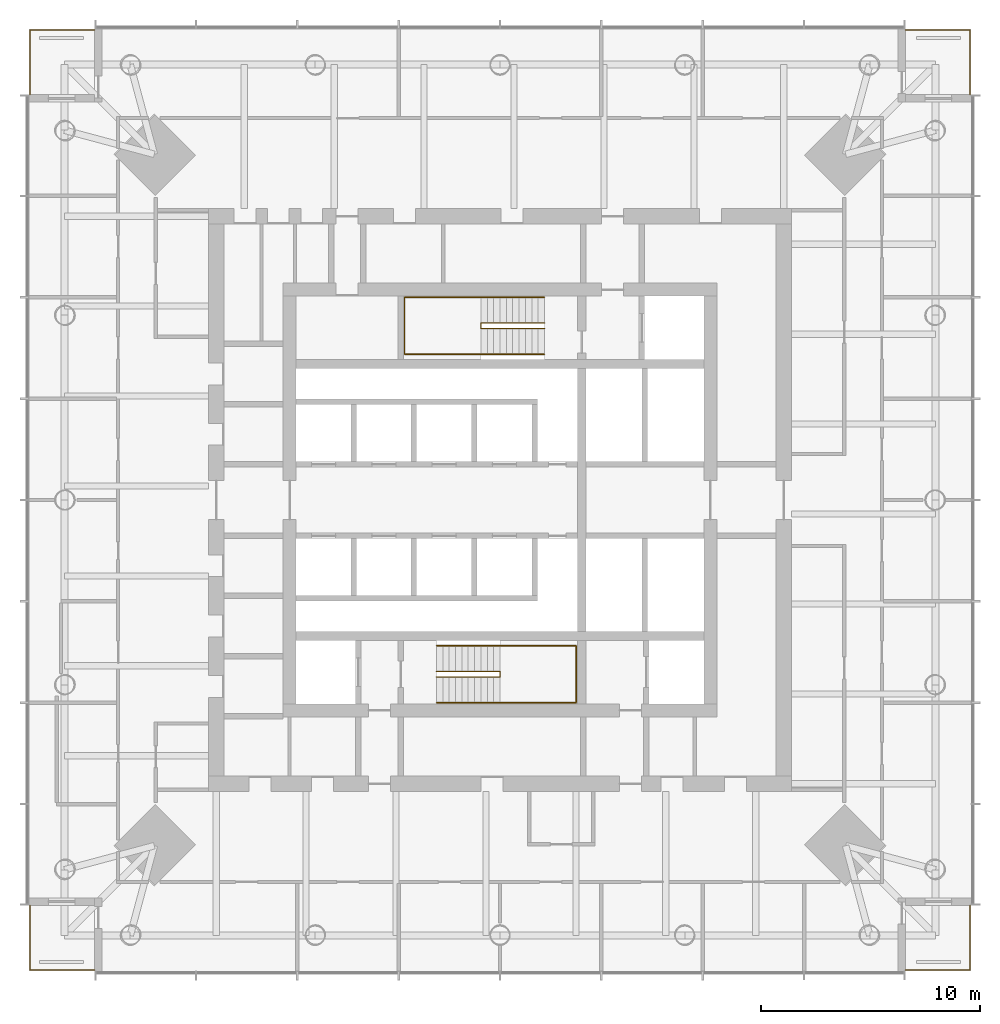
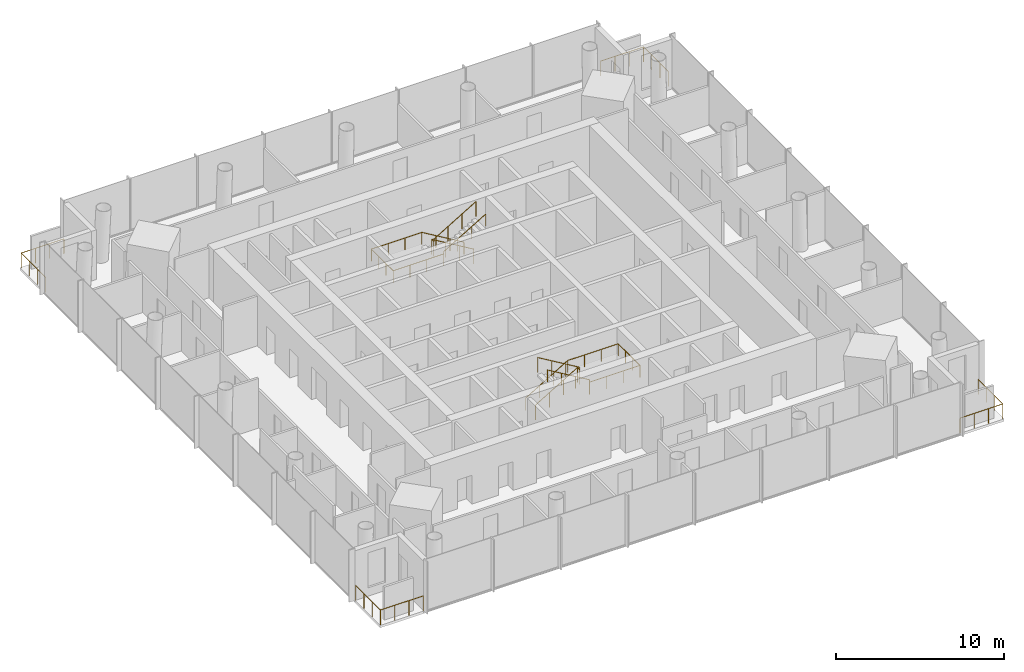
# One storey, part 9 of 9: 8 railings.
"""IFC4 building model written with IfcOpenShell, lengths in metres."""

from ifc_helpers import new_model, si_unit, direction, frame, origin, origin_2d, place, context, subcontext, project, spatial, circle, extrude, material, type_object, element, save


model = new_model("IFC4")

# Units and contexts
model_context = context("Model", 3, precision=1e-05, world=origin(), true_north=direction((0.0, 1.0)))
body_context = subcontext(model_context, "Body", "Model", "MODEL_VIEW")
ifc_project = project(units=[si_unit("LENGTHUNIT", "METRE"), si_unit("AREAUNIT", "SQUARE_METRE"), si_unit("VOLUMEUNIT", "CUBIC_METRE"), si_unit("PLANEANGLEUNIT", "RADIAN"), si_unit("MASSUNIT", "GRAM", prefix="KILO")], contexts=[model_context])

# Site, building, storey
site_placement = place(None, origin())
site = spatial("IfcSite", under=ifc_project, at=site_placement, CompositionType="ELEMENT")
building_placement = place(site_placement, origin())
building = spatial("IfcBuilding", under=site, at=building_placement, Name="Ostroluk Exchange", CompositionType="ELEMENT")
storey_placement = place(building_placement, frame((0.0, 0.0, 150.199951171875)))
storey = spatial("IfcBuildingStorey", under=building, at=storey_placement, Name="L38", CompositionType="ELEMENT", Elevation=150.199951171875)

# Railings
ifc_material_1 = material(Name="Stainless steel", Category="steel")
railing_type_1 = type_object("IfcRailingType", Name="Guard 1100 stainless steel", PredefinedType="GUARDRAIL", material=ifc_material_1)
railing_1_placement = place(storey_placement, frame((63.5, 24.550048828125, 0.0)))
element("IfcRailing", 1, at=railing_1_placement, inside=storey, type_object=railing_type_1, Name="Office tower SE balcony guard L38", PredefinedType="GUARDRAIL", context=body_context, shape_type="SweptSolid", body=[
    extrude(circle(Radius=0.02392578125, at=origin_2d()), frame((0.0, 0.0, 1.076171875), z_axis=(1.0, 0.0, 0.0), x_axis=(0.0, 1.0, 0.0)), (0.0, 0.0, 1.0), 2.949951171875),
    extrude(circle(Radius=0.02392578125, at=origin_2d()), frame((2.949951171875, 0.0, 1.076171875), z_axis=(0.0, 1.0, 0.0), x_axis=(-1.0, 0.0, 0.0)), (0.0, 0.0, 1.0), 2.949951171875),
    extrude(circle(Radius=0.02099609375, at=origin_2d()), origin(), (0.0, 0.0, 1.0), 1.052001953125),
    extrude(circle(Radius=0.02099609375, at=origin_2d()), frame((0.9833984375, 0.0, 0.0)), (0.0, 0.0, 1.0), 1.052001953125),
    extrude(circle(Radius=0.02099609375, at=origin_2d()), frame((1.966552734375, 0.0, 0.0)), (0.0, 0.0, 1.0), 1.052001953125),
    extrude(circle(Radius=0.02099609375, at=origin_2d()), frame((2.949951171875, 0.0, 0.0)), (0.0, 0.0, 1.0), 1.052001953125),
    extrude(circle(Radius=0.02099609375, at=origin_2d()), frame((2.949951171875, 0.9833984375, 0.0)), (0.0, 0.0, 1.0), 1.052001953125),
    extrude(circle(Radius=0.02099609375, at=origin_2d()), frame((2.949951171875, 1.966552734375, 0.0)), (0.0, 0.0, 1.0), 1.052001953125),
    extrude(circle(Radius=0.02099609375, at=origin_2d()), frame((2.949951171875, 2.949951171875, 0.0)), (0.0, 0.0, 1.0), 1.052001953125),
])
railing_2_placement = place(storey_placement, frame((63.5, 67.449951171875, 0.0)))
element("IfcRailing", 2, at=railing_2_placement, inside=storey, type_object=railing_type_1, Name="Office tower NE balcony guard L38", PredefinedType="GUARDRAIL", context=body_context, shape_type="SweptSolid", body=[
    extrude(circle(Radius=0.02392578125, at=origin_2d()), frame((0.0, 0.0, 1.076171875), z_axis=(1.0, 0.0, 0.0), x_axis=(0.0, 1.0, 0.0)), (0.0, 0.0, 1.0), 2.949951171875),
    extrude(circle(Radius=0.02392578125, at=origin_2d()), frame((2.949951171875, 0.0, 1.076171875), z_axis=(0.0, -1.0, 0.0), x_axis=(1.0, 0.0, 0.0)), (0.0, 0.0, 1.0), 2.949951171875),
    extrude(circle(Radius=0.02099609375, at=origin_2d()), origin(), (0.0, 0.0, 1.0), 1.052001953125),
    extrude(circle(Radius=0.02099609375, at=origin_2d()), frame((0.9833984375, 0.0, 0.0)), (0.0, 0.0, 1.0), 1.052001953125),
    extrude(circle(Radius=0.02099609375, at=origin_2d()), frame((1.966552734375, 0.0, 0.0)), (0.0, 0.0, 1.0), 1.052001953125),
    extrude(circle(Radius=0.02099609375, at=origin_2d()), frame((2.949951171875, 0.0, 0.0)), (0.0, 0.0, 1.0), 1.052001953125),
    extrude(circle(Radius=0.02099609375, at=origin_2d()), frame((2.949951171875, -0.9833984375, 0.0)), (0.0, 0.0, 1.0), 1.052001953125),
    extrude(circle(Radius=0.02099609375, at=origin_2d()), frame((2.949951171875, -1.966552734375, 0.0)), (0.0, 0.0, 1.0), 1.052001953125),
    extrude(circle(Radius=0.02099609375, at=origin_2d()), frame((2.949951171875, -2.949951171875, 0.0)), (0.0, 0.0, 1.0), 1.052001953125),
])
railing_3_placement = place(storey_placement, frame((26.5, 67.449951171875, 0.0)))
element("IfcRailing", 3, at=railing_3_placement, inside=storey, type_object=railing_type_1, Name="Office tower NW balcony guard L38", PredefinedType="GUARDRAIL", context=body_context, shape_type="SweptSolid", body=[
    extrude(circle(Radius=0.02392578125, at=origin_2d()), frame((0.0, 0.0, 1.076171875), z_axis=(-1.0, 0.0, 0.0), x_axis=(0.0, -1.0, 0.0)), (0.0, 0.0, 1.0), 2.949951171875),
    extrude(circle(Radius=0.02392578125, at=origin_2d()), frame((-2.949951171875, 0.0, 1.076171875), z_axis=(0.0, -1.0, 0.0), x_axis=(1.0, 0.0, 0.0)), (0.0, 0.0, 1.0), 2.949951171875),
    extrude(circle(Radius=0.02099609375, at=origin_2d()), origin(), (0.0, 0.0, 1.0), 1.052001953125),
    extrude(circle(Radius=0.02099609375, at=origin_2d()), frame((-0.9833984375, 0.0, 0.0)), (0.0, 0.0, 1.0), 1.052001953125),
    extrude(circle(Radius=0.02099609375, at=origin_2d()), frame((-1.966552734375, 0.0, 0.0)), (0.0, 0.0, 1.0), 1.052001953125),
    extrude(circle(Radius=0.02099609375, at=origin_2d()), frame((-2.949951171875, 0.0, 0.0)), (0.0, 0.0, 1.0), 1.052001953125),
    extrude(circle(Radius=0.02099609375, at=origin_2d()), frame((-2.949951171875, -0.9833984375, 0.0)), (0.0, 0.0, 1.0), 1.052001953125),
    extrude(circle(Radius=0.02099609375, at=origin_2d()), frame((-2.949951171875, -1.966552734375, 0.0)), (0.0, 0.0, 1.0), 1.052001953125),
    extrude(circle(Radius=0.02099609375, at=origin_2d()), frame((-2.949951171875, -2.949951171875, 0.0)), (0.0, 0.0, 1.0), 1.052001953125),
])
railing_4_placement = place(storey_placement, frame((26.5, 24.550048828125, 0.0)))
element("IfcRailing", 4, at=railing_4_placement, inside=storey, type_object=railing_type_1, Name="Office tower SW balcony guard L38", PredefinedType="GUARDRAIL", context=body_context, shape_type="SweptSolid", body=[
    extrude(circle(Radius=0.02392578125, at=origin_2d()), frame((0.0, 0.0, 1.076171875), z_axis=(-1.0, 0.0, 0.0), x_axis=(0.0, -1.0, 0.0)), (0.0, 0.0, 1.0), 2.949951171875),
    extrude(circle(Radius=0.02392578125, at=origin_2d()), frame((-2.949951171875, 0.0, 1.076171875), z_axis=(0.0, 1.0, 0.0), x_axis=(-1.0, 0.0, 0.0)), (0.0, 0.0, 1.0), 2.949951171875),
    extrude(circle(Radius=0.02099609375, at=origin_2d()), origin(), (0.0, 0.0, 1.0), 1.052001953125),
    extrude(circle(Radius=0.02099609375, at=origin_2d()), frame((-0.9833984375, 0.0, 0.0)), (0.0, 0.0, 1.0), 1.052001953125),
    extrude(circle(Radius=0.02099609375, at=origin_2d()), frame((-1.966552734375, 0.0, 0.0)), (0.0, 0.0, 1.0), 1.052001953125),
    extrude(circle(Radius=0.02099609375, at=origin_2d()), frame((-2.949951171875, 0.0, 0.0)), (0.0, 0.0, 1.0), 1.052001953125),
    extrude(circle(Radius=0.02099609375, at=origin_2d()), frame((-2.949951171875, 0.9833984375, 0.0)), (0.0, 0.0, 1.0), 1.052001953125),
    extrude(circle(Radius=0.02099609375, at=origin_2d()), frame((-2.949951171875, 1.966552734375, 0.0)), (0.0, 0.0, 1.0), 1.052001953125),
    extrude(circle(Radius=0.02099609375, at=origin_2d()), frame((-2.949951171875, 2.949951171875, 0.0)), (0.0, 0.0, 1.0), 1.052001953125),
])
ifc_material_2 = material(Name="Steel S355", Category="steel")
railing_type_2 = type_object("IfcRailingType", Name="Stair guard 1100", PredefinedType="GUARDRAIL", material=ifc_material_2)
railing_5_placement = place(storey_placement, frame((42.10009765625, 38.179931640625, 0.1728515625)))
element("IfcRailing", 5, at=railing_5_placement, inside=storey, type_object=railing_type_2, Name="Stair T1-S1 guard L38", PredefinedType="GUARDRAIL", context=body_context, shape_type="SweptSolid", body=[
    extrude(circle(Radius=0.02392578125, at=origin_2d()), frame((0.0, 0.0, 1.076171875), z_axis=(0.859141464434, 0.0, 0.511738159696), x_axis=(0.0, 1.0, 0.0)), (0.0, 0.0, 1.0), 3.375244140625),
    extrude(circle(Radius=0.02392578125, at=origin_2d()), frame((2.89990234375, 0.0, 2.80322265625), z_axis=(0.0, -1.0, 0.0), x_axis=(1.0, 0.0, 0.0)), (0.0, 0.0, 1.0), 0.260009765625),
    extrude(circle(Radius=0.02392578125, at=origin_2d()), frame((2.89990234375, -0.260009765625, 2.80322265625), z_axis=(0.0, 0.0, 1.0), x_axis=(1.0, 0.0, 0.0)), (0.0, 0.0, 1.0), 0.172607421875),
    extrude(circle(Radius=0.02392578125, at=origin_2d()), frame((2.89990234375, -0.260009765625, 2.97607421875), z_axis=(-0.859141464434, 0.0, 0.511738159696), x_axis=(0.0, -1.0, 0.0)), (0.0, 0.0, 1.0), 3.375244140625),
    extrude(circle(Radius=0.02099609375, at=origin_2d()), origin(), (0.0, 0.0, 1.0), 1.052001953125),
    extrude(circle(Radius=0.02099609375, at=origin_2d()), frame((0.966552734375, 0.0, 0.57568359375)), (0.0, 0.0, 1.0), 1.052001953125),
    extrude(circle(Radius=0.02099609375, at=origin_2d()), frame((1.933349609375, 0.0, 1.151611328125)), (0.0, 0.0, 1.0), 1.052001953125),
    extrude(circle(Radius=0.02099609375, at=origin_2d()), frame((2.89990234375, 0.0, 1.727294921875)), (0.0, 0.0, 1.0), 1.052001953125),
    extrude(circle(Radius=0.02099609375, at=origin_2d()), frame((2.89990234375, -0.260009765625, 1.727294921875)), (0.0, 0.0, 1.0), 1.052001953125),
    extrude(circle(Radius=0.02099609375, at=origin_2d()), frame((2.89990234375, -0.260009765625, 1.89990234375)), (0.0, 0.0, 1.0), 1.052001953125),
    extrude(circle(Radius=0.02099609375, at=origin_2d()), frame((1.933349609375, -0.260009765625, 2.4755859375)), (0.0, 0.0, 1.0), 1.052001953125),
    extrude(circle(Radius=0.02099609375, at=origin_2d()), frame((0.966552734375, -0.260009765625, 3.051513671875)), (0.0, 0.0, 1.0), 1.052001953125),
    extrude(circle(Radius=0.02099609375, at=origin_2d()), frame((0.0, -0.260009765625, 3.627197265625)), (0.0, 0.0, 1.0), 1.052001953125),
])
railing_6_placement = place(storey_placement, frame((47.030029296875, 54.080078125, 0.1728515625)))
element("IfcRailing", 6, at=railing_6_placement, inside=storey, type_object=railing_type_2, Name="Stair T1-S2 guard L38", PredefinedType="GUARDRAIL", context=body_context, shape_type="SweptSolid", body=[
    extrude(circle(Radius=0.02392578125, at=origin_2d()), frame((0.0, 0.0, 1.076171875), z_axis=(-0.859160404282, 0.0, 0.51170636083), x_axis=(0.0, -1.0, 0.0)), (0.0, 0.0, 1.0), 3.37548828125),
    extrude(circle(Radius=0.02392578125, at=origin_2d()), frame((-2.900146484375, 0.0, 2.80322265625), z_axis=(0.0, -1.0, 0.0), x_axis=(1.0, 0.0, 0.0)), (0.0, 0.0, 1.0), 0.260009765625),
    extrude(circle(Radius=0.02392578125, at=origin_2d()), frame((-2.900146484375, -0.260009765625, 2.80322265625), z_axis=(0.0, 0.0, 1.0), x_axis=(1.0, 0.0, 0.0)), (0.0, 0.0, 1.0), 0.172607421875),
    extrude(circle(Radius=0.02392578125, at=origin_2d()), frame((-2.900146484375, -0.260009765625, 2.97607421875), z_axis=(0.859160404282, 0.0, 0.51170636083), x_axis=(0.0, 1.0, 0.0)), (0.0, 0.0, 1.0), 3.37548828125),
    extrude(circle(Radius=0.02099609375, at=origin_2d()), origin(), (0.0, 0.0, 1.0), 1.052001953125),
    extrude(circle(Radius=0.02099609375, at=origin_2d()), frame((-0.966796875, 0.0, 0.57568359375)), (0.0, 0.0, 1.0), 1.052001953125),
    extrude(circle(Radius=0.02099609375, at=origin_2d()), frame((-1.933349609375, 0.0, 1.151611328125)), (0.0, 0.0, 1.0), 1.052001953125),
    extrude(circle(Radius=0.02099609375, at=origin_2d()), frame((-2.900146484375, 0.0, 1.727294921875)), (0.0, 0.0, 1.0), 1.052001953125),
    extrude(circle(Radius=0.02099609375, at=origin_2d()), frame((-2.900146484375, -0.260009765625, 1.727294921875)), (0.0, 0.0, 1.0), 1.052001953125),
    extrude(circle(Radius=0.02099609375, at=origin_2d()), frame((-2.900146484375, -0.260009765625, 1.89990234375)), (0.0, 0.0, 1.0), 1.052001953125),
    extrude(circle(Radius=0.02099609375, at=origin_2d()), frame((-1.933349609375, -0.260009765625, 2.4755859375)), (0.0, 0.0, 1.0), 1.052001953125),
    extrude(circle(Radius=0.02099609375, at=origin_2d()), frame((-0.966796875, -0.260009765625, 3.051513671875)), (0.0, 0.0, 1.0), 1.052001953125),
    extrude(circle(Radius=0.02099609375, at=origin_2d()), frame((0.0, -0.260009765625, 3.627197265625)), (0.0, 0.0, 1.0), 1.052001953125),
])
ifc_material_3 = material(Name="Stainless steel", Category="steel")
railing_type_3 = type_object("IfcRailingType", Name="Stair handrail 900", PredefinedType="HANDRAIL", material=ifc_material_3)
railing_7_placement = place(storey_placement, frame((42.10009765625, 39.35009765625, 0.1728515625)))
element("IfcRailing", 7, at=railing_7_placement, inside=storey, type_object=railing_type_3, Name="Stair T1-S1 handrail L38", PredefinedType="HANDRAIL", context=body_context, shape_type="SweptSolid", body=[
    extrude(circle(Radius=0.02392578125, at=origin_2d()), frame((0.0, 0.0, 0.8759765625), z_axis=(0.859141464434, 0.0, 0.511738159696), x_axis=(0.0, 1.0, 0.0)), (0.0, 0.0, 1.0), 3.375244140625),
    extrude(circle(Radius=0.02392578125, at=origin_2d()), frame((2.89990234375, 0.0, 2.60302734375), z_axis=(1.0, 0.0, 0.0), x_axis=(0.0, 1.0, 0.0)), (0.0, 0.0, 1.0), 3.47998046875),
    extrude(circle(Radius=0.02392578125, at=origin_2d()), frame((6.3798828125, 0.0, 2.60302734375), z_axis=(0.0, -1.0, 0.0), x_axis=(1.0, 0.0, 0.0)), (0.0, 0.0, 1.0), 2.60009765625),
    extrude(circle(Radius=0.02392578125, at=origin_2d()), frame((6.3798828125, -2.60009765625, 2.60302734375), z_axis=(-1.0, 0.0, 0.0), x_axis=(0.0, -1.0, 0.0)), (0.0, 0.0, 1.0), 3.47998046875),
    extrude(circle(Radius=0.02392578125, at=origin_2d()), frame((2.89990234375, -2.60009765625, 2.60302734375), z_axis=(0.0, 0.0, 1.0), x_axis=(1.0, 0.0, 0.0)), (0.0, 0.0, 1.0), 0.172607421875),
    extrude(circle(Radius=0.02392578125, at=origin_2d()), frame((2.89990234375, -2.60009765625, 2.77587890625), z_axis=(-0.859141464434, 0.0, 0.511738159696), x_axis=(0.0, -1.0, 0.0)), (0.0, 0.0, 1.0), 3.375244140625),
    extrude(circle(Radius=0.02099609375, at=origin_2d()), origin(), (0.0, 0.0, 1.0), 0.851806640625),
    extrude(circle(Radius=0.02099609375, at=origin_2d()), frame((0.966552734375, 0.0, 0.57568359375)), (0.0, 0.0, 1.0), 0.851806640625),
    extrude(circle(Radius=0.02099609375, at=origin_2d()), frame((1.933349609375, 0.0, 1.151611328125)), (0.0, 0.0, 1.0), 0.851806640625),
    extrude(circle(Radius=0.02099609375, at=origin_2d()), frame((2.89990234375, 0.0, 1.727294921875)), (0.0, 0.0, 1.0), 0.851806640625),
    extrude(circle(Radius=0.02099609375, at=origin_2d()), frame((4.059814453125, 0.0, 1.727294921875)), (0.0, 0.0, 1.0), 0.851806640625),
    extrude(circle(Radius=0.02099609375, at=origin_2d()), frame((5.219970703125, 0.0, 1.727294921875)), (0.0, 0.0, 1.0), 0.851806640625),
    extrude(circle(Radius=0.02099609375, at=origin_2d()), frame((6.3798828125, 0.0, 1.727294921875)), (0.0, 0.0, 1.0), 0.851806640625),
    extrude(circle(Radius=0.02099609375, at=origin_2d()), frame((6.3798828125, -0.86669921875, 1.727294921875)), (0.0, 0.0, 1.0), 0.851806640625),
    extrude(circle(Radius=0.02099609375, at=origin_2d()), frame((6.3798828125, -1.7333984375, 1.727294921875)), (0.0, 0.0, 1.0), 0.851806640625),
    extrude(circle(Radius=0.02099609375, at=origin_2d()), frame((6.3798828125, -2.60009765625, 1.727294921875)), (0.0, 0.0, 1.0), 0.851806640625),
    extrude(circle(Radius=0.02099609375, at=origin_2d()), frame((5.219970703125, -2.60009765625, 1.727294921875)), (0.0, 0.0, 1.0), 0.851806640625),
    extrude(circle(Radius=0.02099609375, at=origin_2d()), frame((4.059814453125, -2.60009765625, 1.727294921875)), (0.0, 0.0, 1.0), 0.851806640625),
    extrude(circle(Radius=0.02099609375, at=origin_2d()), frame((2.89990234375, -2.60009765625, 1.727294921875)), (0.0, 0.0, 1.0), 0.851806640625),
    extrude(circle(Radius=0.02099609375, at=origin_2d()), frame((2.89990234375, -2.60009765625, 1.89990234375)), (0.0, 0.0, 1.0), 0.851806640625),
    extrude(circle(Radius=0.02099609375, at=origin_2d()), frame((1.933349609375, -2.60009765625, 2.4755859375)), (0.0, 0.0, 1.0), 0.851806640625),
    extrude(circle(Radius=0.02099609375, at=origin_2d()), frame((0.966552734375, -2.60009765625, 3.051513671875)), (0.0, 0.0, 1.0), 0.851806640625),
    extrude(circle(Radius=0.02099609375, at=origin_2d()), frame((0.0, -2.60009765625, 3.627197265625)), (0.0, 0.0, 1.0), 0.851806640625),
])
railing_8_placement = place(storey_placement, frame((47.030029296875, 55.25, 0.1728515625)))
element("IfcRailing", 8, at=railing_8_placement, inside=storey, type_object=railing_type_3, Name="Stair T1-S2 handrail L38", PredefinedType="HANDRAIL", context=body_context, shape_type="SweptSolid", body=[
    extrude(circle(Radius=0.02392578125, at=origin_2d()), frame((0.0, 0.0, 0.8759765625), z_axis=(-0.859160404282, 0.0, 0.51170636083), x_axis=(0.0, -1.0, 0.0)), (0.0, 0.0, 1.0), 3.37548828125),
    extrude(circle(Radius=0.02392578125, at=origin_2d()), frame((-2.900146484375, 0.0, 2.60302734375), z_axis=(-1.0, 0.0, 0.0), x_axis=(0.0, -1.0, 0.0)), (0.0, 0.0, 1.0), 3.47998046875),
    extrude(circle(Radius=0.02392578125, at=origin_2d()), frame((-6.380126953125, 0.0, 2.60302734375), z_axis=(0.0, -1.0, 0.0), x_axis=(1.0, 0.0, 0.0)), (0.0, 0.0, 1.0), 2.60009765625),
    extrude(circle(Radius=0.02392578125, at=origin_2d()), frame((-6.380126953125, -2.60009765625, 2.60302734375), z_axis=(1.0, 0.0, 0.0), x_axis=(0.0, 1.0, 0.0)), (0.0, 0.0, 1.0), 3.47998046875),
    extrude(circle(Radius=0.02392578125, at=origin_2d()), frame((-2.900146484375, -2.60009765625, 2.60302734375), z_axis=(0.0, 0.0, 1.0), x_axis=(1.0, 0.0, 0.0)), (0.0, 0.0, 1.0), 0.172607421875),
    extrude(circle(Radius=0.02392578125, at=origin_2d()), frame((-2.900146484375, -2.60009765625, 2.77587890625), z_axis=(0.859160404282, 0.0, 0.51170636083), x_axis=(0.0, 1.0, 0.0)), (0.0, 0.0, 1.0), 3.37548828125),
    extrude(circle(Radius=0.02099609375, at=origin_2d()), origin(), (0.0, 0.0, 1.0), 0.851806640625),
    extrude(circle(Radius=0.02099609375, at=origin_2d()), frame((-0.966796875, 0.0, 0.57568359375)), (0.0, 0.0, 1.0), 0.851806640625),
    extrude(circle(Radius=0.02099609375, at=origin_2d()), frame((-1.933349609375, 0.0, 1.151611328125)), (0.0, 0.0, 1.0), 0.851806640625),
    extrude(circle(Radius=0.02099609375, at=origin_2d()), frame((-2.900146484375, 0.0, 1.727294921875)), (0.0, 0.0, 1.0), 0.851806640625),
    extrude(circle(Radius=0.02099609375, at=origin_2d()), frame((-4.06005859375, 0.0, 1.727294921875)), (0.0, 0.0, 1.0), 0.851806640625),
    extrude(circle(Radius=0.02099609375, at=origin_2d()), frame((-5.22021484375, 0.0, 1.727294921875)), (0.0, 0.0, 1.0), 0.851806640625),
    extrude(circle(Radius=0.02099609375, at=origin_2d()), frame((-6.380126953125, 0.0, 1.727294921875)), (0.0, 0.0, 1.0), 0.851806640625),
    extrude(circle(Radius=0.02099609375, at=origin_2d()), frame((-6.380126953125, -0.86669921875, 1.727294921875)), (0.0, 0.0, 1.0), 0.851806640625),
    extrude(circle(Radius=0.02099609375, at=origin_2d()), frame((-6.380126953125, -1.7333984375, 1.727294921875)), (0.0, 0.0, 1.0), 0.851806640625),
    extrude(circle(Radius=0.02099609375, at=origin_2d()), frame((-6.380126953125, -2.60009765625, 1.727294921875)), (0.0, 0.0, 1.0), 0.851806640625),
    extrude(circle(Radius=0.02099609375, at=origin_2d()), frame((-5.22021484375, -2.60009765625, 1.727294921875)), (0.0, 0.0, 1.0), 0.851806640625),
    extrude(circle(Radius=0.02099609375, at=origin_2d()), frame((-4.06005859375, -2.60009765625, 1.727294921875)), (0.0, 0.0, 1.0), 0.851806640625),
    extrude(circle(Radius=0.02099609375, at=origin_2d()), frame((-2.900146484375, -2.60009765625, 1.727294921875)), (0.0, 0.0, 1.0), 0.851806640625),
    extrude(circle(Radius=0.02099609375, at=origin_2d()), frame((-2.900146484375, -2.60009765625, 1.89990234375)), (0.0, 0.0, 1.0), 0.851806640625),
    extrude(circle(Radius=0.02099609375, at=origin_2d()), frame((-1.933349609375, -2.60009765625, 2.4755859375)), (0.0, 0.0, 1.0), 0.851806640625),
    extrude(circle(Radius=0.02099609375, at=origin_2d()), frame((-0.966796875, -2.60009765625, 3.051513671875)), (0.0, 0.0, 1.0), 0.851806640625),
    extrude(circle(Radius=0.02099609375, at=origin_2d()), frame((0.0, -2.60009765625, 3.627197265625)), (0.0, 0.0, 1.0), 0.851806640625),
])

save(model, "model.ifc")
